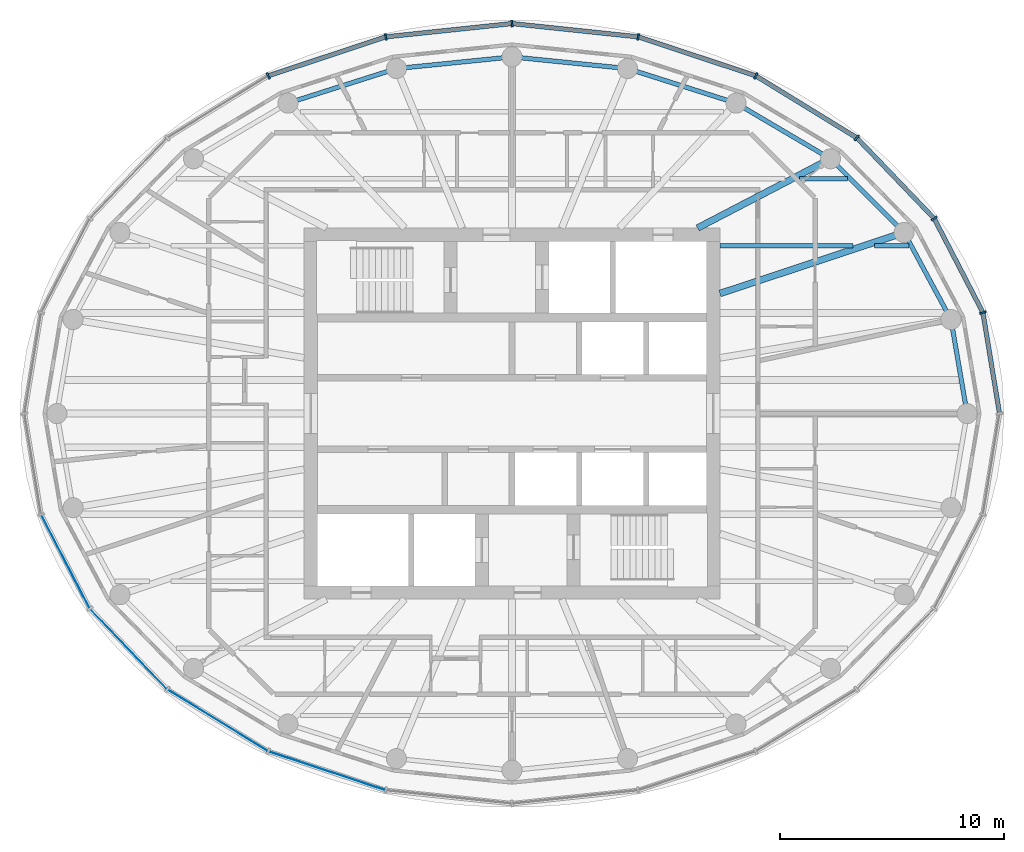
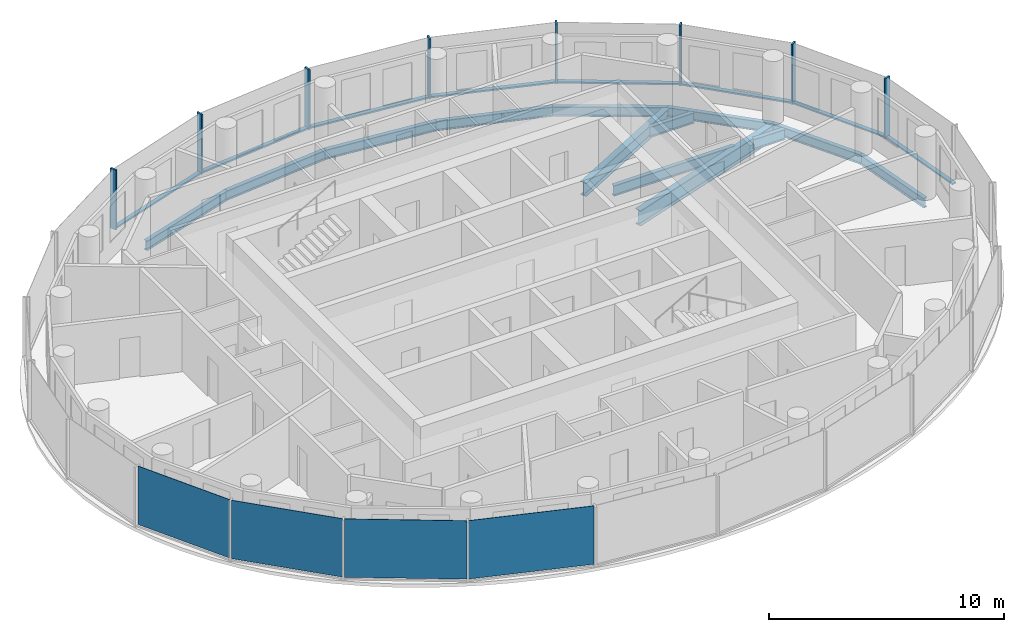
# One storey, part 3 of 11: 16 members, 13 beams, 4 plates, 3 elements without a shape of their own.
"""IFC4 building model written with IfcOpenShell, lengths in metres."""

from ifc_helpers import new_model, si_unit, direction, frame, origin, origin_2d, place, context, subcontext, project, spatial, rectangle, i_section, extrude, material, layer, layer_set, material_profile, profile_set, type_object, element, aggregate, save


model = new_model("IFC4")

# Units and contexts
model_context = context("Model", 3, precision=1e-05, world=origin(), true_north=direction((0.0, 1.0)))
body_context = subcontext(model_context, "Body", "Model", "MODEL_VIEW")
ifc_project = project(units=[si_unit("LENGTHUNIT", "METRE"), si_unit("AREAUNIT", "SQUARE_METRE"), si_unit("VOLUMEUNIT", "CUBIC_METRE"), si_unit("PLANEANGLEUNIT", "RADIAN"), si_unit("MASSUNIT", "GRAM", prefix="KILO")], contexts=[model_context])

# Site, building, storey
site_placement = place(None, origin())
site = spatial("IfcSite", under=ifc_project, at=site_placement, CompositionType="ELEMENT")
building_placement = place(site_placement, origin())
building = spatial("IfcBuilding", under=site, at=building_placement, Name="Hankou Lantern Tower", CompositionType="ELEMENT")
storey_placement = place(building_placement, frame((0.0, 0.0, 202.800048828125)))
storey = spatial("IfcBuildingStorey", under=building, at=storey_placement, Name="L54", CompositionType="ELEMENT", Elevation=202.800048828125)

# Beams
ifc_material_1 = material(Name="Steel Q355B", Category="steel")
ifc_material_profile_1 = material_profile(ifc_material_1, i_section(OverallWidth=0.199951171875, OverallDepth=0.5, WebThickness=0.010009765625, FlangeThickness=0.01611328125, FilletRadius=0.012939453125, at=origin_2d()), Name="HN500x200x10x16")
ifc_profile_set_1 = profile_set([ifc_material_profile_1], Name="Steel Q355B")
beam_type_1 = type_object("IfcBeamType", Name="EB5 RING BEAM HN500x200x10x16", PredefinedType="SPANDREL", material=ifc_profile_set_1)
beam_1_placement = place(storey_placement, frame((20.35009765625, 0.0, -0.429931640625), z_axis=(-0.168876512999, 0.98563721691, 0.0), x_axis=(-0.98563721691, -0.168876512999, 0.0)))
element("IfcBeam", 1, at=beam_1_placement, inside=storey, type_object=beam_type_1, Name="Ring beam R01-R02 L54", PredefinedType="SPANDREL", context=body_context, shape_type="SweptSolid", body=[
    extrude(i_section(OverallWidth=0.199951171875, OverallDepth=0.5, WebThickness=0.010009765625, FlangeThickness=0.01611328125, FilletRadius=0.012939453125, at=origin_2d()), origin(), (0.0, 0.0, 1.0), 4.26904296875),
])
beam_2_placement = place(storey_placement, frame((19.629150390625, 4.207763671875, -0.429931640625), z_axis=(-0.474491806611, 0.880259919262, 0.0), x_axis=(-0.880259919262, -0.474491806611, 0.0)))
element("IfcBeam", 2, at=beam_2_placement, inside=storey, type_object=beam_type_1, Name="Ring beam R02-R03 L54", PredefinedType="SPANDREL", context=body_context, shape_type="SweptSolid", body=[
    extrude(i_section(OverallWidth=0.199951171875, OverallDepth=0.5, WebThickness=0.010009765625, FlangeThickness=0.01611328125, FilletRadius=0.012939453125, at=origin_2d()), origin(), (0.0, 0.0, 1.0), 4.419189453125),
])
beam_3_placement = place(storey_placement, frame((17.5322265625, 8.097900390625, -0.429931640625), z_axis=(-0.706608588034, 0.707604623583, 0.0), x_axis=(-0.707604623583, -0.706608588034, 0.0)))
element("IfcBeam", 3, at=beam_3_placement, inside=storey, type_object=beam_type_1, Name="Ring beam R03-R04 L54", PredefinedType="SPANDREL", context=body_context, shape_type="SweptSolid", body=[
    extrude(i_section(OverallWidth=0.199951171875, OverallDepth=0.5, WebThickness=0.010009765625, FlangeThickness=0.01611328125, FilletRadius=0.012939453125, at=origin_2d()), origin(), (0.0, 0.0, 1.0), 4.6572265625),
])
beam_4_placement = place(storey_placement, frame((14.241455078125, 11.393310546875, -0.429931640625), z_axis=(-0.861422897323, 0.507888365655, 0.0), x_axis=(-0.507888365655, -0.861422897323, 0.0)))
element("IfcBeam", 4, at=beam_4_placement, inside=storey, type_object=beam_type_1, Name="Ring beam R04-R05 L54", PredefinedType="SPANDREL", context=body_context, shape_type="SweptSolid", body=[
    extrude(i_section(OverallWidth=0.199951171875, OverallDepth=0.5, WebThickness=0.010009765625, FlangeThickness=0.01611328125, FilletRadius=0.012939453125, at=origin_2d()), origin(), (0.0, 0.0, 1.0), 4.901611328125),
])
beam_5_placement = place(storey_placement, frame((10.01904296875, 13.8828125, -0.429931640625), z_axis=(-0.952887359315, 0.303324381574, 0.0), x_axis=(-0.303324381574, -0.952887359315, 0.0)))
element("IfcBeam", 5, at=beam_5_placement, inside=storey, type_object=beam_type_1, Name="Ring beam R05-R06 L54", PredefinedType="SPANDREL", context=body_context, shape_type="SweptSolid", body=[
    extrude(i_section(OverallWidth=0.199951171875, OverallDepth=0.5, WebThickness=0.010009765625, FlangeThickness=0.01611328125, FilletRadius=0.012939453125, at=origin_2d()), origin(), (0.0, 0.0, 1.0), 5.091796875),
])
for number, where, z_axis, x_axis, name in (
    (6, (5.167236328125, 15.42724609375, -0.429931640625), (-0.994922507736, 0.100643944676, 0.0), (-0.100643944676, -0.994922507736, 0.0), "Ring beam R06-R07 L54"),
    (7, (0.0, 15.949951171875, -0.429931640625), (-0.994922507736, -0.100643944676, 0.0), (0.100643944676, -0.994922507736, 0.0), "Ring beam R07-R08 L54"),
):
    element("IfcBeam", number, at=place(storey_placement, frame(where, z_axis=z_axis, x_axis=x_axis)), inside=storey, type_object=beam_type_1, Name=name, PredefinedType="SPANDREL", context=body_context, shape_type="SweptSolid", body=[
        extrude(i_section(OverallWidth=0.199951171875, OverallDepth=0.5, WebThickness=0.010009765625, FlangeThickness=0.01611328125, FilletRadius=0.012939453125, at=origin_2d()), origin(), (0.0, 0.0, 1.0), 5.193603515625),
    ])
beam_6_placement = place(storey_placement, frame((-5.167236328125, 15.42724609375, -0.429931640625), z_axis=(-0.952887359315, -0.303324381574, 0.0), x_axis=(0.303324381574, -0.952887359315, 0.0)))
element("IfcBeam", 8, at=beam_6_placement, inside=storey, type_object=beam_type_1, Name="Ring beam R08-R09 L54", PredefinedType="SPANDREL", context=body_context, shape_type="SweptSolid", body=[
    extrude(i_section(OverallWidth=0.199951171875, OverallDepth=0.5, WebThickness=0.010009765625, FlangeThickness=0.01611328125, FilletRadius=0.012939453125, at=origin_2d()), origin(), (0.0, 0.0, 1.0), 5.091796875),
])

# Curtain wall, members
ifc_material_2 = material(Name="Glass, dark grey tinted laminated", Category="glass")
curtain_wall_type = type_object("IfcCurtainWallType", Name="CWD OUTER SKIN SUITE", PredefinedType="USERDEFINED", material=ifc_material_2)
curtain_wall_1_placement = place(storey_placement, origin())
curtain_wall_1 = element("IfcCurtainWall", 9, at=curtain_wall_1_placement, inside=storey, type_object=curtain_wall_type, Name="CWD L54 OS1", ObjectType="OUTER SKIN SUITE", PredefinedType="USERDEFINED")
ifc_material_3 = material(Name="Aluminium, black anodised", Category="aluminium")
ifc_material_profile_2 = material_profile(ifc_material_3, rectangle(XDim=0.080078125, YDim=0.300048828125, at=origin_2d()), Name="MU1 80X300")
ifc_profile_set_2 = profile_set([ifc_material_profile_2], Name="Aluminium, black anodised")
member_type_1 = type_object("IfcMemberType", Name="MU1 OUTER SKIN MULLION 80X300", PredefinedType="MULLION", material=ifc_profile_set_2)
member_1_placement = place(storey_placement, frame((21.05712890625, 4.513916015625, 0.0), z_axis=(0.0, 0.0, 1.0), x_axis=(-0.317595577365, 0.94822626479, 0.0)))
member_1 = element("IfcMember", 10, at=member_1_placement, type_object=member_type_1, Name="CWD mullion 2", PredefinedType="MULLION", context=body_context, shape_type="SweptSolid", body=[
    extrude(rectangle(XDim=0.080078125, YDim=0.300048828125, at=origin_2d()), origin(), (0.0, 0.0, 1.0), 3.119873046875),
])
member_2_placement = place(storey_placement, frame((18.87939453125, 8.719970703125, 0.0), z_axis=(0.0, 0.0, 1.0), x_axis=(-0.585205735974, 0.810884854084, 0.0)))
member_2 = element("IfcMember", 11, at=member_2_placement, type_object=member_type_1, Name="CWD mullion 3", PredefinedType="MULLION", context=body_context, shape_type="SweptSolid", body=[
    extrude(rectangle(XDim=0.080078125, YDim=0.300048828125, at=origin_2d()), origin(), (0.0, 0.0, 1.0), 3.119873046875),
])
member_3_placement = place(storey_placement, frame((15.4150390625, 12.33203125, 0.0), z_axis=(0.0, 0.0, 1.0), x_axis=(-0.780868809444, 0.624695047553, 0.0)))
member_3 = element("IfcMember", 12, at=member_3_placement, type_object=member_type_1, Name="CWD mullion 4", PredefinedType="MULLION", context=body_context, shape_type="SweptSolid", body=[
    extrude(rectangle(XDim=0.080078125, YDim=0.300048828125, at=origin_2d()), origin(), (0.0, 0.0, 1.0), 3.119873046875),
])
member_4_placement = place(storey_placement, frame((10.89990234375, 15.103515625, 0.0), z_axis=(0.0, 0.0, 1.0), x_axis=(-0.907841299004, 0.419313934686, 0.0)))
member_4 = element("IfcMember", 13, at=member_4_placement, type_object=member_type_1, Name="CWD mullion 5", PredefinedType="MULLION", context=body_context, shape_type="SweptSolid", body=[
    extrude(rectangle(XDim=0.080078125, YDim=0.300048828125, at=origin_2d()), origin(), (0.0, 0.0, 1.0), 3.119873046875),
])
member_5_placement = place(storey_placement, frame((5.642333984375, 16.845703125, 0.0), z_axis=(0.0, 0.0, 1.0), x_axis=(-0.977787659625, 0.209597931016, 0.0)))
member_5 = element("IfcMember", 14, at=member_5_placement, type_object=member_type_1, Name="CWD mullion 6", PredefinedType="MULLION", context=body_context, shape_type="SweptSolid", body=[
    extrude(rectangle(XDim=0.080078125, YDim=0.300048828125, at=origin_2d()), origin(), (0.0, 0.0, 1.0), 3.119873046875),
])

curtain_wall_2_placement = place(storey_placement, origin())
curtain_wall_2 = element("IfcCurtainWall", 15, at=curtain_wall_2_placement, inside=storey, type_object=curtain_wall_type, Name="CWD L54 OS2", ObjectType="OUTER SKIN SUITE", PredefinedType="USERDEFINED")
member_6_placement = place(storey_placement, frame((0.0, 17.43994140625, 0.0), z_axis=(0.0, 0.0, 1.0), x_axis=(-0.994499359107, -0.104742659579, 0.0)))
member_6 = element("IfcMember", 16, at=member_6_placement, type_object=member_type_1, Name="CWD mullion 1", PredefinedType="MULLION", context=body_context, shape_type="SweptSolid", body=[
    extrude(rectangle(XDim=0.080078125, YDim=0.300048828125, at=origin_2d()), origin(), (0.0, 0.0, 1.0), 3.119873046875),
])
member_7_placement = place(storey_placement, frame((-5.642333984375, 16.845703125, 0.0), z_axis=(0.0, 0.0, 1.0), x_axis=(-0.977787659625, -0.209597931016, 0.0)))
member_7 = element("IfcMember", 17, at=member_7_placement, type_object=member_type_1, Name="CWD mullion 2", PredefinedType="MULLION", context=body_context, shape_type="SweptSolid", body=[
    extrude(rectangle(XDim=0.080078125, YDim=0.300048828125, at=origin_2d()), origin(), (0.0, 0.0, 1.0), 3.119873046875),
])
member_8_placement = place(storey_placement, frame((-10.89990234375, 15.103515625, 0.0), z_axis=(0.0, 0.0, 1.0), x_axis=(-0.907841299004, -0.419313934686, 0.0)))
member_8 = element("IfcMember", 18, at=member_8_placement, type_object=member_type_1, Name="CWD mullion 3", PredefinedType="MULLION", context=body_context, shape_type="SweptSolid", body=[
    extrude(rectangle(XDim=0.080078125, YDim=0.300048828125, at=origin_2d()), origin(), (0.0, 0.0, 1.0), 3.119873046875),
])

# Beams
ifc_material_4 = material(Name="Steel Q355B", Category="steel")
ifc_material_profile_3 = material_profile(ifc_material_4, i_section(OverallWidth=0.300048828125, OverallDepth=0.800048828125, WebThickness=0.013916015625, FlangeThickness=0.02587890625, FilletRadius=0.01806640625, at=origin_2d()), Name="HN800x300x14x26")
ifc_profile_set_3 = profile_set([ifc_material_profile_3], Name="Steel Q355B")
beam_type_2 = type_object("IfcBeamType", Name="RB11 RADIAL BEAM HN800x300x14x26", PredefinedType="BEAM", material=ifc_profile_set_3)
beam_7_placement = place(storey_placement, frame((9.300048828125, 5.369384765625, -0.580078125), z_axis=(0.949219608576, 0.314614263337, 0.0), x_axis=(-0.314614263337, 0.949219608576, 0.0)))
element("IfcBeam", 19, at=beam_7_placement, inside=storey, type_object=beam_type_2, Name="Radial beam R03 L54", PredefinedType="BEAM", context=body_context, shape_type="SweptSolid", body=[
    extrude(i_section(OverallWidth=0.300048828125, OverallDepth=0.800048828125, WebThickness=0.013916015625, FlangeThickness=0.02587890625, FilletRadius=0.01806640625, at=origin_2d()), origin(), (0.0, 0.0, 1.0), 8.672607421875),
])
ifc_material_5 = material(Name="Steel Q355B", Category="steel")
ifc_material_profile_4 = material_profile(ifc_material_5, i_section(OverallWidth=0.300048828125, OverallDepth=0.699951171875, WebThickness=0.012939453125, FlangeThickness=0.02392578125, FilletRadius=0.01806640625, at=origin_2d()), Name="HN700x300x13x24")
ifc_profile_set_4 = profile_set([ifc_material_profile_4], Name="Steel Q355B")
beam_type_3 = type_object("IfcBeamType", Name="RB9 RADIAL BEAM HN700x300x13x24", PredefinedType="BEAM", material=ifc_profile_set_4)
beam_8_placement = place(storey_placement, frame((8.300048828125, 8.300048828125, -0.530029296875), z_axis=(0.886988734783, 0.461791061378, 0.0), x_axis=(-0.461791061378, 0.886988734783, 0.0)))
element("IfcBeam", 20, at=beam_8_placement, inside=storey, type_object=beam_type_3, Name="Radial beam R04 L54", PredefinedType="BEAM", context=body_context, shape_type="SweptSolid", body=[
    extrude(i_section(OverallWidth=0.300048828125, OverallDepth=0.699951171875, WebThickness=0.012939453125, FlangeThickness=0.02392578125, FilletRadius=0.01806640625, at=origin_2d()), origin(), (0.0, 0.0, 1.0), 6.698486328125),
])
ifc_material_6 = material(Name="Steel Q355B", Category="steel")
ifc_material_profile_5 = material_profile(ifc_material_6, i_section(OverallWidth=0.199951171875, OverallDepth=0.550048828125, WebThickness=0.010009765625, FlangeThickness=0.01611328125, FilletRadius=0.012939453125, at=origin_2d()), Name="HN550x200x10x16")
ifc_profile_set_5 = profile_set([ifc_material_profile_5], Name="Steel Q355B")
beam_type_4 = type_object("IfcBeamType", Name="SB6 SECONDARY BEAM HN550x200x10x16", PredefinedType="JOIST", material=ifc_profile_set_5)
beam_9_placement = place(storey_placement, frame((9.300048828125, 7.5, -0.455078125), z_axis=(1.0, 0.0, 0.0), x_axis=(0.0, 1.0, 0.0)))
element("IfcBeam", 21, at=beam_9_placement, inside=storey, type_object=beam_type_4, Name="Floor joist J027 L54", PredefinedType="JOIST", context=body_context, shape_type="SweptSolid", body=[
    extrude(i_section(OverallWidth=0.199951171875, OverallDepth=0.550048828125, WebThickness=0.010009765625, FlangeThickness=0.01611328125, FilletRadius=0.012939453125, at=origin_2d()), origin(), (0.0, 0.0, 1.0), 5.95166015625),
])
beam_10_placement = place(storey_placement, frame((16.205322265625, 7.5, -0.455078125), z_axis=(1.0, 0.0, 0.0), x_axis=(0.0, 1.0, 0.0)))
element("IfcBeam", 22, at=beam_10_placement, inside=storey, type_object=beam_type_4, Name="Floor joist J028 L54", PredefinedType="JOIST", context=body_context, shape_type="SweptSolid", body=[
    extrude(i_section(OverallWidth=0.199951171875, OverallDepth=0.550048828125, WebThickness=0.010009765625, FlangeThickness=0.01611328125, FilletRadius=0.012939453125, at=origin_2d()), origin(), (0.0, 0.0, 1.0), 1.53564453125),
])
beam_11_placement = place(storey_placement, frame((12.8505859375, 10.5, -0.455078125), z_axis=(1.0, 0.0, 0.0), x_axis=(0.0, 1.0, 0.0)))
element("IfcBeam", 23, at=beam_11_placement, inside=storey, type_object=beam_type_4, Name="Floor joist J036 L54", PredefinedType="JOIST", context=body_context, shape_type="SweptSolid", body=[
    extrude(i_section(OverallWidth=0.199951171875, OverallDepth=0.550048828125, WebThickness=0.010009765625, FlangeThickness=0.01611328125, FilletRadius=0.012939453125, at=origin_2d()), origin(), (0.0, 0.0, 1.0), 2.1416015625),
])

# Member
ifc_material_7 = material(Name="Aluminium, black anodised", Category="aluminium")
ifc_material_profile_6 = material_profile(ifc_material_7, rectangle(XDim=0.199951171875, YDim=0.080078125, at=origin_2d()), Name="TR1 200X80")
ifc_profile_set_6 = profile_set([ifc_material_profile_6], Name="Aluminium, black anodised")
member_type_2 = type_object("IfcMemberType", Name="TR1 OUTER SKIN TRANSOM 200X80", PredefinedType="USERDEFINED", material=ifc_profile_set_6)
member_9_placement = place(storey_placement, frame((21.79345703125, 0.03955078125, 0.0400390625), z_axis=(-0.162363822839, 0.986730960816, 0.0), x_axis=(-0.986730960816, -0.162363822839, 0.0)))
member_9 = element("IfcMember", 24, at=member_9_placement, type_object=member_type_2, Name="CWD transom 1", ObjectType="TRANSOM", PredefinedType="USERDEFINED", context=body_context, shape_type="SweptSolid", body=[
    extrude(rectangle(XDim=0.199951171875, YDim=0.080078125, at=origin_2d()), origin(), (0.0, 0.0, 1.0), 4.494384765625),
])

member_10_placement = place(storey_placement, frame((21.038818359375, 4.54931640625, 0.0400390625), z_axis=(-0.45979371115, 0.888025755925, 0.0), x_axis=(-0.888025755925, -0.45979371115, 0.0)))
member_10 = element("IfcMember", 25, at=member_10_placement, type_object=member_type_2, Name="CWD transom 2", ObjectType="TRANSOM", PredefinedType="USERDEFINED", context=body_context, shape_type="SweptSolid", body=[
    extrude(rectangle(XDim=0.199951171875, YDim=0.080078125, at=origin_2d()), origin(), (0.0, 0.0, 1.0), 4.65673828125),
])

member_11_placement = place(storey_placement, frame((18.8515625, 8.748779296875, 0.0400390625), z_axis=(-0.692204633274, 0.721701285626, 0.0), x_axis=(-0.721701285626, -0.692204633274, 0.0)))
member_11 = element("IfcMember", 26, at=member_11_placement, type_object=member_type_2, Name="CWD transom 3", ObjectType="TRANSOM", PredefinedType="USERDEFINED", context=body_context, shape_type="SweptSolid", body=[
    extrude(rectangle(XDim=0.199951171875, YDim=0.080078125, at=origin_2d()), origin(), (0.0, 0.0, 1.0), 4.9248046875),
])

member_12_placement = place(storey_placement, frame((15.380859375, 12.352783203125, 0.0400390625), z_axis=(-0.852234544008, 0.523159900986, 0.0), x_axis=(-0.523159900986, -0.852234544008, 0.0)))
member_12 = element("IfcMember", 27, at=member_12_placement, type_object=member_type_2, Name="CWD transom 4", ObjectType="TRANSOM", PredefinedType="USERDEFINED", context=body_context, shape_type="SweptSolid", body=[
    extrude(rectangle(XDim=0.199951171875, YDim=0.080078125, at=origin_2d()), origin(), (0.0, 0.0, 1.0), 5.2177734375),
])

member_13_placement = place(storey_placement, frame((10.862060546875, 15.115966796875, 0.0400390625), z_axis=(-0.949231947668, 0.314577032739, 0.0), x_axis=(-0.314577032739, -0.949231947668, 0.0)))
member_13 = element("IfcMember", 28, at=member_13_placement, type_object=member_type_2, Name="CWD transom 5", ObjectType="TRANSOM", PredefinedType="USERDEFINED", context=body_context, shape_type="SweptSolid", body=[
    extrude(rectangle(XDim=0.199951171875, YDim=0.080078125, at=origin_2d()), origin(), (0.0, 0.0, 1.0), 5.458984375),
])

member_14_placement = place(storey_placement, frame((5.6025390625, 16.849853515625, 0.0400390625), z_axis=(-0.994498275726, 0.104752945435, 0.0), x_axis=(-0.104752945435, -0.994498275726, 0.0)))
member_14 = element("IfcMember", 29, at=member_14_placement, type_object=member_type_2, Name="CWD transom 6", ObjectType="TRANSOM", PredefinedType="USERDEFINED", context=body_context, shape_type="SweptSolid", body=[
    extrude(rectangle(XDim=0.199951171875, YDim=0.080078125, at=origin_2d()), origin(), (0.0, 0.0, 1.0), 5.593505859375),
])

aggregate(curtain_wall_1, [member_1, member_2, member_3, member_4, member_5, member_9, member_10, member_11, member_12, member_13, member_14])

member_15_placement = place(storey_placement, frame((-0.039794921875, 17.435791015625, 0.0400390625), z_axis=(-0.994498275726, -0.104752945435, 0.0), x_axis=(0.104752945435, -0.994498275726, 0.0)))
member_15 = element("IfcMember", 30, at=member_15_placement, type_object=member_type_2, Name="CWD transom 1", ObjectType="TRANSOM", PredefinedType="USERDEFINED", context=body_context, shape_type="SweptSolid", body=[
    extrude(rectangle(XDim=0.199951171875, YDim=0.080078125, at=origin_2d()), origin(), (0.0, 0.0, 1.0), 5.593505859375),
])

member_16_placement = place(storey_placement, frame((-5.68017578125, 16.833251953125, 0.0400390625), z_axis=(-0.949231947668, -0.314577032739, 0.0), x_axis=(0.314577032739, -0.949231947668, 0.0)))
member_16 = element("IfcMember", 31, at=member_16_placement, type_object=member_type_2, Name="CWD transom 2", ObjectType="TRANSOM", PredefinedType="USERDEFINED", context=body_context, shape_type="SweptSolid", body=[
    extrude(rectangle(XDim=0.199951171875, YDim=0.080078125, at=origin_2d()), origin(), (0.0, 0.0, 1.0), 5.458984375),
])

aggregate(curtain_wall_2, [member_6, member_7, member_8, member_15, member_16])

# Curtain wall, plates
curtain_wall_3_placement = place(storey_placement, origin())
curtain_wall_3 = element("IfcCurtainWall", 32, at=curtain_wall_3_placement, inside=storey, type_object=curtain_wall_type, Name="CWD L54 OS3", ObjectType="OUTER SKIN SUITE", PredefinedType="USERDEFINED")
ifc_material_8 = material(Name="Glass, dark grey tinted laminated", Category="glass")
ifc_layer = layer(ifc_material_8, 0.02392578125)
ifc_layer_set = layer_set([ifc_layer], Name="Glass, dark grey tinted laminated")
plate_type = type_object("IfcPlateType", Name="PN1 OUTER SKIN GLASS PANEL", PredefinedType="CURTAIN_PANEL", material=ifc_layer_set)
plate_1_placement = place(storey_placement, frame((-19.96826171875, -6.616943359375, 0.079833984375), z_axis=(0.0, 0.0, 1.0), x_axis=(0.459791091957, -0.888027112062, 0.0)))
plate_1 = element("IfcPlate", 33, at=plate_1_placement, type_object=plate_type, Name="CWD glass panel 2", PredefinedType="CURTAIN_PANEL", context=body_context, shape_type="SweptSolid", body=[
    extrude(rectangle(XDim=4.656494140625, YDim=0.02392578125, at=origin_2d()), origin(), (0.0, 0.0, 1.0), 3.0400390625),
])
plate_2_placement = place(storey_placement, frame((-17.147216796875, -10.52587890625, 0.079833984375), z_axis=(0.0, 0.0, 1.0), x_axis=(0.692215809936, -0.721690565599, 0.0)))
plate_2 = element("IfcPlate", 34, at=plate_2_placement, type_object=plate_type, Name="CWD glass panel 3", PredefinedType="CURTAIN_PANEL", context=body_context, shape_type="SweptSolid", body=[
    extrude(rectangle(XDim=4.9248046875, YDim=0.02392578125, at=origin_2d()), origin(), (0.0, 0.0, 1.0), 3.0400390625),
])
plate_3_placement = place(storey_placement, frame((-13.157470703125, -13.7177734375, 0.079833984375), z_axis=(0.0, 0.0, 1.0), x_axis=(0.852237151549, -0.523155653242, 0.0)))
plate_3 = element("IfcPlate", 35, at=plate_3_placement, type_object=plate_type, Name="CWD glass panel 4", PredefinedType="CURTAIN_PANEL", context=body_context, shape_type="SweptSolid", body=[
    extrude(rectangle(XDim=5.2177734375, YDim=0.02392578125, at=origin_2d()), origin(), (0.0, 0.0, 1.0), 3.0400390625),
])
plate_4_placement = place(storey_placement, frame((-8.271240234375, -15.974609375, 0.079833984375), z_axis=(0.0, 0.0, 1.0), x_axis=(0.949240677293, -0.31455068999, 0.0)))
plate_4 = element("IfcPlate", 36, at=plate_4_placement, type_object=plate_type, Name="CWD glass panel 5", PredefinedType="CURTAIN_PANEL", context=body_context, shape_type="SweptSolid", body=[
    extrude(rectangle(XDim=5.458984375, YDim=0.02392578125, at=origin_2d()), origin(), (0.0, 0.0, 1.0), 3.0400390625),
])
aggregate(curtain_wall_3, [plate_1, plate_2, plate_3, plate_4])

save(model, "model.ifc")
